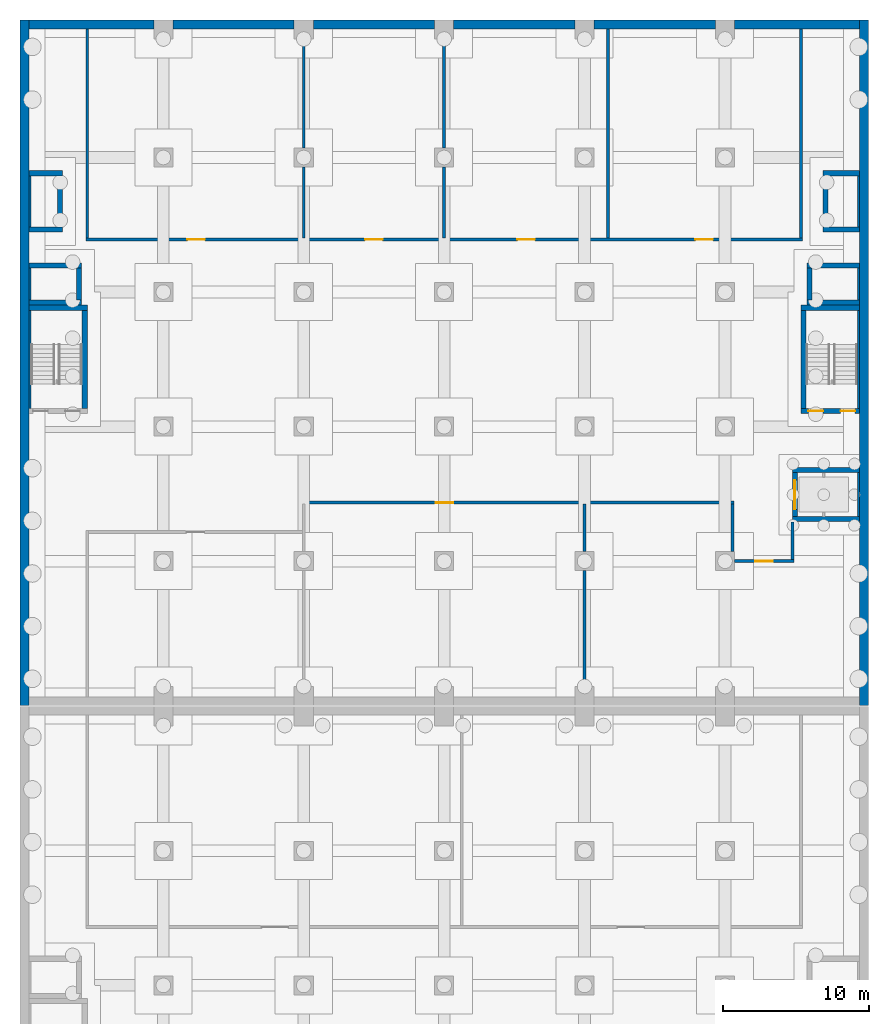
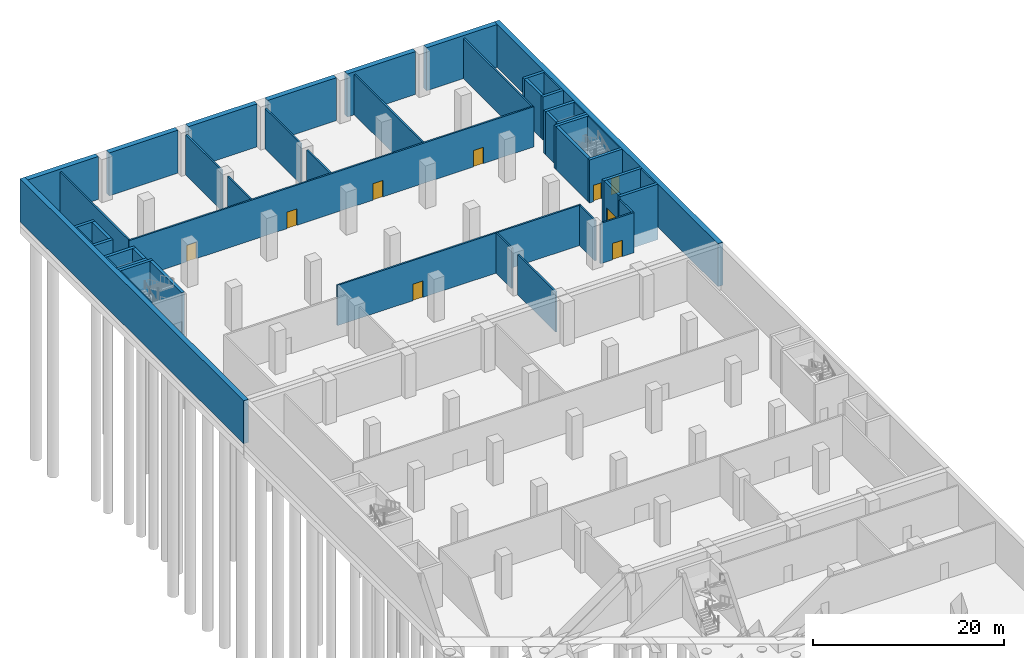
# One storey, part 13 of 33: 49 walls, 9 doors, 9 openings.
"""IFC4 building model written with IfcOpenShell, lengths in metres."""

from ifc_helpers import new_model, si_unit, direction, frame, frame_2d, origin, place, context, subcontext, project, spatial, rectangle, extrude, material, layer, layer_set, type_object, element, fill, save


model = new_model("IFC4")

# Units and contexts
model_context = context("Model", 3, precision=1e-05, world=origin(), true_north=direction((0.0, 1.0)))
body_context = subcontext(model_context, "Body", "Model", "MODEL_VIEW")
ifc_project = project(units=[si_unit("LENGTHUNIT", "METRE"), si_unit("AREAUNIT", "SQUARE_METRE"), si_unit("VOLUMEUNIT", "CUBIC_METRE"), si_unit("PLANEANGLEUNIT", "RADIAN"), si_unit("MASSUNIT", "GRAM", prefix="KILO")], contexts=[model_context])

# Site, building, storey
site_placement = place(None, origin())
site = spatial("IfcSite", under=ifc_project, at=site_placement, CompositionType="ELEMENT")
building_placement = place(site_placement, origin())
building = spatial("IfcBuilding", under=site, at=building_placement, Name="Nzadi Deep Aquarium and Research Tower", CompositionType="ELEMENT")
storey_placement = place(building_placement, frame((0.0, 0.0, -5.5)))
storey = spatial("IfcBuildingStorey", under=building, at=storey_placement, Name="B1", CompositionType="ELEMENT", Elevation=-5.5)

# Wall, openings, doors
ifc_material_1 = material(Name="Blockwork masonry", Category="masonry")
ifc_layer_1 = layer(ifc_material_1, 0.199951171875)
ifc_layer_set_1 = layer_set([ifc_layer_1], Name="Blockwork masonry")
wall_type_1 = type_object("IfcWallType", Name="Partition 200 EI 120", PredefinedType="PARTITIONING", material=ifc_layer_set_1)
wall_1_placement = place(storey_placement, frame((4.300048828125, 126.0, 0.0), z_axis=(0.0, 0.0, 1.0), x_axis=(1.0, 0.0, 0.0)))
wall_1 = element("IfcWall", 1, at=wall_1_placement, inside=storey, type_object=wall_type_1, Name="W-Z3-B1-P002", PredefinedType="PARTITIONING", context=body_context, shape_type="SweptSolid", body=[
    extrude(rectangle(XDim=49.0, YDim=0.199951171875, at=frame_2d((24.5, 0.0))), origin(), (0.0, 0.0, 1.0), 5.14990234375),
])
opening_1_placement = place(wall_1_placement, frame((6.93505859375, 0.0, 0.0)))
opening_1 = element("IfcOpeningElement", 2, at=opening_1_placement, cuts=wall_1, Name="Opening D003004", PredefinedType="OPENING", context=body_context, shape_type="SweptSolid", body=[
    extrude(rectangle(XDim=1.199951171875, YDim=2.10009765625, at=frame_2d((0.60009765625, 1.050048828125))), frame((0.0, 0.110107421875, 0.0), z_axis=(0.0, -1.0, 0.0), x_axis=(1.0, 0.0, 0.0)), (0.0, 0.0, 1.0), 0.22021484375),
])
opening_2_placement = place(wall_1_placement, frame((19.10009765625, 0.0, 0.0)))
opening_2 = element("IfcOpeningElement", 3, at=opening_2_placement, cuts=wall_1, Name="Opening D003005", PredefinedType="OPENING", context=body_context, shape_type="SweptSolid", body=[
    extrude(rectangle(XDim=1.199951171875, YDim=2.10009765625, at=frame_2d((0.60009765625, 1.050048828125))), frame((0.0, 0.110107421875, 0.0), z_axis=(0.0, -1.0, 0.0), x_axis=(1.0, 0.0, 0.0)), (0.0, 0.0, 1.0), 0.22021484375),
])
opening_3_placement = place(wall_1_placement, frame((29.5, 0.0, 0.0)))
opening_3 = element("IfcOpeningElement", 4, at=opening_3_placement, cuts=wall_1, Name="Opening D003006", PredefinedType="OPENING", context=body_context, shape_type="SweptSolid", body=[
    extrude(rectangle(XDim=1.199951171875, YDim=2.10009765625, at=frame_2d((0.60009765625, 1.050048828125))), frame((0.0, 0.110107421875, 0.0), z_axis=(0.0, -1.0, 0.0), x_axis=(1.0, 0.0, 0.0)), (0.0, 0.0, 1.0), 0.22021484375),
])
opening_4_placement = place(wall_1_placement, frame((41.6650390625, 0.0, 0.0)))
opening_4 = element("IfcOpeningElement", 5, at=opening_4_placement, cuts=wall_1, Name="Opening D003007", PredefinedType="OPENING", context=body_context, shape_type="SweptSolid", body=[
    extrude(rectangle(XDim=1.199951171875, YDim=2.10009765625, at=frame_2d((0.60009765625, 1.050048828125))), frame((0.0, 0.110107421875, 0.0), z_axis=(0.0, -1.0, 0.0), x_axis=(1.0, 0.0, 0.0)), (0.0, 0.0, 1.0), 0.22021484375),
])
ifc_material_2 = material(Name="Fire-rated steel door", Category="steel")
ifc_layer_2 = layer(ifc_material_2, 0.050048828125)
ifc_layer_set_2 = layer_set([ifc_layer_2], Name="Fire-rated steel door")
door_type_1 = type_object("IfcDoorType", Name="Door 1200x2100 EI 120 single", OperationType="SINGLE_SWING_LEFT", PredefinedType="DOOR", material=ifc_layer_set_2)
door_1_placement = place(opening_1_placement, origin())
door_1 = element("IfcDoor", 6, at=door_1_placement, inside=storey, type_object=door_type_1, Name="D003004", OperationType="SINGLE_SWING_RIGHT", OverallHeight=2.10009765625, OverallWidth=1.199951171875, PredefinedType="DOOR", context=body_context, shape_type="SweptSolid", body=[
    extrude(rectangle(XDim=1.199951171875, YDim=2.10009765625, at=frame_2d((0.60009765625, 1.050048828125))), frame((0.0, 0.02490234375, 0.0), z_axis=(0.0, -1.0, 0.0), x_axis=(1.0, 0.0, 0.0)), (0.0, 0.0, 1.0), 0.050048828125),
])
fill(opening_1, door_1)
door_2_placement = place(opening_2_placement, origin())
door_2 = element("IfcDoor", 7, at=door_2_placement, inside=storey, type_object=door_type_1, Name="D003005", OperationType="SINGLE_SWING_RIGHT", OverallHeight=2.10009765625, OverallWidth=1.199951171875, PredefinedType="DOOR", context=body_context, shape_type="SweptSolid", body=[
    extrude(rectangle(XDim=1.199951171875, YDim=2.10009765625, at=frame_2d((0.60009765625, 1.050048828125))), frame((0.0, 0.02490234375, 0.0), z_axis=(0.0, -1.0, 0.0), x_axis=(1.0, 0.0, 0.0)), (0.0, 0.0, 1.0), 0.050048828125),
])
fill(opening_2, door_2)
door_3_placement = place(opening_3_placement, origin())
door_3 = element("IfcDoor", 8, at=door_3_placement, inside=storey, type_object=door_type_1, Name="D003006", OperationType="SINGLE_SWING_RIGHT", OverallHeight=2.10009765625, OverallWidth=1.199951171875, PredefinedType="DOOR", context=body_context, shape_type="SweptSolid", body=[
    extrude(rectangle(XDim=1.199951171875, YDim=2.10009765625, at=frame_2d((0.60009765625, 1.050048828125))), frame((0.0, 0.02490234375, 0.0), z_axis=(0.0, -1.0, 0.0), x_axis=(1.0, 0.0, 0.0)), (0.0, 0.0, 1.0), 0.050048828125),
])
fill(opening_3, door_3)
door_4_placement = place(opening_4_placement, origin())
door_4 = element("IfcDoor", 9, at=door_4_placement, inside=storey, type_object=door_type_1, Name="D003007", OperationType="SINGLE_SWING_RIGHT", OverallHeight=2.10009765625, OverallWidth=1.199951171875, PredefinedType="DOOR", context=body_context, shape_type="SweptSolid", body=[
    extrude(rectangle(XDim=1.199951171875, YDim=2.10009765625, at=frame_2d((0.60009765625, 1.050048828125))), frame((0.0, 0.02490234375, 0.0), z_axis=(0.0, -1.0, 0.0), x_axis=(1.0, 0.0, 0.0)), (0.0, 0.0, 1.0), 0.050048828125),
])
fill(opening_4, door_4)

# Wall
wall_2_placement = place(storey_placement, frame((4.39990234375, 126.10009765625, 0.0), z_axis=(0.0, 0.0, 1.0), x_axis=(0.0, 1.0, 0.0)))
element("IfcWall", 10, at=wall_2_placement, inside=storey, type_object=wall_type_1, Name="W-Z3-B1-P003", PredefinedType="PARTITIONING", context=body_context, shape_type="SweptSolid", body=[
    extrude(rectangle(XDim=14.2939453125, YDim=0.199951171875, at=frame_2d((7.14697265625, 0.0))), origin(), (0.0, 0.0, 1.0), 5.14990234375),
])

# Wall, opening, door
wall_3_placement = place(storey_placement, frame((19.10009765625, 108.0, 0.0), z_axis=(0.0, 0.0, 1.0), x_axis=(1.0, 0.0, 0.0)))
wall_3 = element("IfcWall", 11, at=wall_3_placement, inside=storey, type_object=wall_type_1, Name="W-Z3-B1-P007", PredefinedType="PARTITIONING", context=body_context, shape_type="SweptSolid", body=[
    extrude(rectangle(XDim=29.5, YDim=0.199951171875, at=frame_2d((14.75, 0.0))), origin(), (0.0, 0.0, 1.0), 5.14990234375),
])
opening_5_placement = place(wall_3_placement, frame((9.135009765625, 0.0, 0.0)))
opening_5 = element("IfcOpeningElement", 12, at=opening_5_placement, cuts=wall_3, Name="Opening D003002", PredefinedType="OPENING", context=body_context, shape_type="SweptSolid", body=[
    extrude(rectangle(XDim=1.199951171875, YDim=2.10009765625, at=frame_2d((0.60009765625, 1.050048828125))), frame((0.0, 0.110107421875, 0.0), z_axis=(0.0, -1.0, 0.0), x_axis=(1.0, 0.0, 0.0)), (0.0, 0.0, 1.0), 0.22021484375),
])
door_5_placement = place(opening_5_placement, origin())
door_5 = element("IfcDoor", 13, at=door_5_placement, inside=storey, type_object=door_type_1, Name="D003002", OperationType="SINGLE_SWING_LEFT", OverallHeight=2.10009765625, OverallWidth=1.199951171875, PredefinedType="DOOR", context=body_context, shape_type="SweptSolid", body=[
    extrude(rectangle(XDim=1.199951171875, YDim=2.10009765625, at=frame_2d((0.60009765625, 1.050048828125))), frame((0.0, 0.02490234375, 0.0), z_axis=(0.0, -1.0, 0.0), x_axis=(1.0, 0.0, 0.0)), (0.0, 0.0, 1.0), 0.050048828125),
])
fill(opening_5, door_5)

# Walls
wall_4_placement = place(storey_placement, frame((19.199951171875, 126.10009765625, 0.0), z_axis=(0.0, 0.0, 1.0), x_axis=(0.0, 1.0, 0.0)))
element("IfcWall", 14, at=wall_4_placement, inside=storey, type_object=wall_type_1, Name="W-Z3-B1-P008", PredefinedType="PARTITIONING", context=body_context, shape_type="SweptSolid", body=[
    extrude(rectangle(XDim=4.849853515625, YDim=0.199951171875, at=frame_2d((2.4248046875, 0.0))), origin(), (0.0, 0.0, 1.0), 5.14990234375),
])
wall_5_placement = place(storey_placement, frame((19.199951171875, 132.25, 0.0), z_axis=(0.0, 0.0, 1.0), x_axis=(0.0, 1.0, 0.0)))
element("IfcWall", 15, at=wall_5_placement, inside=storey, type_object=wall_type_1, Name="W-Z3-B1-P009", PredefinedType="PARTITIONING", context=body_context, shape_type="SweptSolid", body=[
    extrude(rectangle(XDim=7.449951171875, YDim=0.199951171875, at=frame_2d((3.72509765625, 0.0))), origin(), (0.0, 0.0, 1.0), 5.14990234375),
])
wall_6_placement = place(storey_placement, frame((28.800048828125, 126.10009765625, 0.0), z_axis=(0.0, 0.0, 1.0), x_axis=(0.0, 1.0, 0.0)))
element("IfcWall", 16, at=wall_6_placement, inside=storey, type_object=wall_type_1, Name="W-Z3-B1-P010", PredefinedType="PARTITIONING", context=body_context, shape_type="SweptSolid", body=[
    extrude(rectangle(XDim=4.849853515625, YDim=0.199951171875, at=frame_2d((2.4248046875, 0.0))), origin(), (0.0, 0.0, 1.0), 5.14990234375),
])
wall_7_placement = place(storey_placement, frame((28.800048828125, 132.25, 0.0), z_axis=(0.0, 0.0, 1.0), x_axis=(0.0, 1.0, 0.0)))
element("IfcWall", 17, at=wall_7_placement, inside=storey, type_object=wall_type_1, Name="W-Z3-B1-P011", PredefinedType="PARTITIONING", context=body_context, shape_type="SweptSolid", body=[
    extrude(rectangle(XDim=7.449951171875, YDim=0.199951171875, at=frame_2d((3.72509765625, 0.0))), origin(), (0.0, 0.0, 1.0), 5.14990234375),
])
wall_8_placement = place(storey_placement, frame((38.39990234375, 95.449951171875, 0.0), z_axis=(0.0, 0.0, 1.0), x_axis=(0.0, 1.0, 0.0)))
element("IfcWall", 18, at=wall_8_placement, inside=storey, type_object=wall_type_1, Name="W-Z3-B1-P012", PredefinedType="PARTITIONING", context=body_context, shape_type="SweptSolid", body=[
    extrude(rectangle(XDim=7.900146484375, YDim=0.199951171875, at=frame_2d((3.9501953125, 0.0))), origin(), (0.0, 0.0, 1.0), 5.14990234375),
])
wall_9_placement = place(storey_placement, frame((38.39990234375, 104.64990234375, 0.0), z_axis=(0.0, 0.0, 1.0), x_axis=(0.0, 1.0, 0.0)))
element("IfcWall", 19, at=wall_9_placement, inside=storey, type_object=wall_type_1, Name="W-Z3-B1-P013", PredefinedType="PARTITIONING", context=body_context, shape_type="SweptSolid", body=[
    extrude(rectangle(XDim=3.25, YDim=0.199951171875, at=frame_2d((1.625, 0.0))), origin(), (0.0, 0.0, 1.0), 5.14990234375),
])
wall_10_placement = place(storey_placement, frame((40.0, 126.10009765625, 0.0), z_axis=(0.0, 0.0, 1.0), x_axis=(0.0, 1.0, 0.0)))
element("IfcWall", 20, at=wall_10_placement, inside=storey, type_object=wall_type_1, Name="W-Z3-B1-P014", PredefinedType="PARTITIONING", context=body_context, shape_type="SweptSolid", body=[
    extrude(rectangle(XDim=14.2939453125, YDim=0.199951171875, at=frame_2d((7.14697265625, 0.0))), origin(), (0.0, 0.0, 1.0), 5.14990234375),
])
wall_11_placement = place(storey_placement, frame((48.5, 104.64990234375, 0.0), z_axis=(0.0, 0.0, 1.0), x_axis=(0.0, 1.0, 0.0)))
element("IfcWall", 21, at=wall_11_placement, inside=storey, type_object=wall_type_1, Name="W-Z3-B1-P015", PredefinedType="PARTITIONING", context=body_context, shape_type="SweptSolid", body=[
    extrude(rectangle(XDim=3.25, YDim=0.199951171875, at=frame_2d((1.625, 0.0))), origin(), (0.0, 0.0, 1.0), 5.14990234375),
])

# Wall, opening, door
wall_12_placement = place(storey_placement, frame((48.64990234375, 104.0, 0.0), z_axis=(0.0, 0.0, 1.0), x_axis=(1.0, 0.0, 0.0)))
wall_12 = element("IfcWall", 22, at=wall_12_placement, inside=storey, type_object=wall_type_1, Name="W-Z3-B1-P016", PredefinedType="PARTITIONING", context=body_context, shape_type="SweptSolid", body=[
    extrude(rectangle(XDim=4.050048828125, YDim=0.199951171875, at=frame_2d((2.02490234375, 0.0))), origin(), (0.0, 0.0, 1.0), 5.14990234375),
])
opening_6_placement = place(wall_12_placement, frame((1.425048828125, 0.0, 0.0)))
opening_6 = element("IfcOpeningElement", 23, at=opening_6_placement, cuts=wall_12, Name="Opening D003003", PredefinedType="OPENING", context=body_context, shape_type="SweptSolid", body=[
    extrude(rectangle(XDim=1.199951171875, YDim=2.10009765625, at=frame_2d((0.60009765625, 1.050048828125))), frame((0.0, 0.110107421875, 0.0), z_axis=(0.0, -1.0, 0.0), x_axis=(1.0, 0.0, 0.0)), (0.0, 0.0, 1.0), 0.22021484375),
])
door_6_placement = place(opening_6_placement, origin())
door_6 = element("IfcDoor", 24, at=door_6_placement, inside=storey, type_object=door_type_1, Name="D003003", OperationType="SINGLE_SWING_LEFT", OverallHeight=2.10009765625, OverallWidth=1.199951171875, PredefinedType="DOOR", context=body_context, shape_type="SweptSolid", body=[
    extrude(rectangle(XDim=1.199951171875, YDim=2.10009765625, at=frame_2d((0.60009765625, 1.050048828125))), frame((0.0, 0.02490234375, 0.0), z_axis=(0.0, -1.0, 0.0), x_axis=(1.0, 0.0, 0.0)), (0.0, 0.0, 1.0), 0.050048828125),
])
fill(opening_6, door_6)

# Walls
wall_13_placement = place(storey_placement, frame((52.60009765625, 104.10009765625, 0.0), z_axis=(0.0, 0.0, 1.0), x_axis=(0.0, 1.0, 0.0)))
element("IfcWall", 25, at=wall_13_placement, inside=storey, type_object=wall_type_1, Name="W-Z3-B1-P017", PredefinedType="PARTITIONING", context=body_context, shape_type="SweptSolid", body=[
    extrude(rectangle(XDim=2.593994140625, YDim=0.199951171875, at=frame_2d((1.296875, 0.0))), origin(), (0.0, 0.0, 1.0), 5.14990234375),
])
wall_14_placement = place(storey_placement, frame((53.199951171875, 126.10009765625, 0.0), z_axis=(0.0, 0.0, 1.0), x_axis=(0.0, 1.0, 0.0)))
element("IfcWall", 26, at=wall_14_placement, inside=storey, type_object=wall_type_1, Name="W-Z3-B1-P018", PredefinedType="PARTITIONING", context=body_context, shape_type="SweptSolid", body=[
    extrude(rectangle(XDim=14.2939453125, YDim=0.199951171875, at=frame_2d((7.14697265625, 0.0))), origin(), (0.0, 0.0, 1.0), 5.14990234375),
])
ifc_material_3 = material(Name="Concrete C35/45", Category="concrete")
ifc_layer_3 = layer(ifc_material_3, 0.14990234375)
ifc_layer_set_3 = layer_set([ifc_layer_3], Name="Concrete C35/45")
wall_type_2 = type_object("IfcWallType", Name="RC core wall 150", PredefinedType="SHEAR", material=ifc_layer_set_3)
for number, where, z_axis, x_axis, name in (
    (27, (0.47509765625, 114.449951171875, 0.0), (0.0, 0.0, 1.0), (0.0, 1.0, 0.0), "W-CORE-ST-Z3-W-B1-W"),
    (28, (57.125, 114.449951171875, 0.0), (0.0, 0.0, 1.0), (0.0, 1.0, 0.0), "W-CORE-ST-Z3-E-B1-E"),
):
    element("IfcWall", number, at=place(storey_placement, frame(where, z_axis=z_axis, x_axis=x_axis)), inside=storey, type_object=wall_type_2, Name=name, PredefinedType="SHEAR", context=body_context, shape_type="SweptSolid", body=[
        extrude(rectangle(XDim=6.699951171875, YDim=0.14990234375, at=frame_2d((3.35009765625, 0.0))), origin(), (0.0, 0.0, 1.0), 5.5),
    ])
for number, where, z_axis, x_axis, name in (
    (29, (0.47509765625, 121.85009765625, 0.0), (0.0, 0.0, 1.0), (0.0, 1.0, 0.0), "W-CORE-PL5-B1-W"),
    (30, (57.125, 121.85009765625, 0.0), (0.0, 0.0, 1.0), (0.0, 1.0, 0.0), "W-CORE-PL6-B1-E"),
):
    element("IfcWall", number, at=place(storey_placement, frame(where, z_axis=z_axis, x_axis=x_axis)), inside=storey, type_object=wall_type_2, Name=name, PredefinedType="SHEAR", context=body_context, shape_type="SweptSolid", body=[
        extrude(rectangle(XDim=2.199951171875, YDim=0.14990234375, at=frame_2d((1.10009765625, 0.0))), origin(), (0.0, 0.0, 1.0), 5.5),
    ])
for number, where, z_axis, x_axis, name in (
    (31, (0.47509765625, 126.85009765625, 0.0), (0.0, 0.0, 1.0), (0.0, 1.0, 0.0), "W-CORE-RS-Z3-W-B1-W"),
    (32, (57.125, 126.85009765625, 0.0), (0.0, 0.0, 1.0), (0.0, 1.0, 0.0), "W-CORE-RS-Z3-E-B1-E"),
):
    element("IfcWall", number, at=place(storey_placement, frame(where, z_axis=z_axis, x_axis=x_axis)), inside=storey, type_object=wall_type_2, Name=name, PredefinedType="SHEAR", context=body_context, shape_type="SweptSolid", body=[
        extrude(rectangle(XDim=3.5, YDim=0.14990234375, at=frame_2d((1.75, 0.0))), origin(), (0.0, 0.0, 1.0), 5.5),
    ])
ifc_material_4 = material(Name="Concrete C35/45", Category="concrete")
ifc_layer_4 = layer(ifc_material_4, 0.14990234375)
ifc_layer_set_4 = layer_set([ifc_layer_4], Name="Concrete C35/45")
wall_type_3 = type_object("IfcWallType", Name="RC core wall 150, 7.10 m high, base -1.60 m", PredefinedType="SHEAR", material=ifc_layer_set_4)
wall_15_placement = place(storey_placement, frame((57.125, 107.050048828125, -1.60009765625), z_axis=(0.0, 0.0, 1.0), x_axis=(0.0, 1.0, 0.0)))
element("IfcWall", 33, at=wall_15_placement, inside=storey, type_object=wall_type_3, Name="W-CORE-GL2-B1-E", PredefinedType="SHEAR", context=body_context, shape_type="SweptSolid", body=[
    extrude(rectangle(XDim=3.0, YDim=0.14990234375, at=frame_2d((1.5, 0.0))), origin(), (0.0, 0.0, 1.0), 7.10009765625),
])
ifc_material_5 = material(Name="Concrete C35/45", Category="concrete")
ifc_layer_5 = layer(ifc_material_5, 0.35009765625)
ifc_layer_set_5 = layer_set([ifc_layer_5], Name="Concrete C35/45")
wall_type_4 = type_object("IfcWallType", Name="RC core wall 350, 5.50 to 6.50 m high", PredefinedType="SHEAR", material=ifc_layer_set_5)
wall_16_placement = place(storey_placement, frame((0.39990234375, 121.324951171875, 0.0), z_axis=(0.0, 0.0, 1.0), x_axis=(1.0, 0.0, 0.0)))
element("IfcWall", 34, at=wall_16_placement, inside=storey, type_object=wall_type_4, Name="W-CORE-ST-Z3-W-B1-N", PredefinedType="SHEAR", context=body_context, shape_type="SweptSolid", body=[
    extrude(rectangle(XDim=4.0, YDim=0.35009765625, at=frame_2d((2.0, 0.0))), origin(), (0.0, 0.0, 1.0), 5.5),
])
wall_17_placement = place(storey_placement, frame((4.22509765625, 114.449951171875, 0.0), z_axis=(0.0, 0.0, 1.0), x_axis=(0.0, 1.0, 0.0)))
element("IfcWall", 35, at=wall_17_placement, inside=storey, type_object=wall_type_4, Name="W-CORE-ST-Z3-W-B1-E", PredefinedType="SHEAR", context=body_context, shape_type="SweptSolid", body=[
    extrude(rectangle(XDim=6.699951171875, YDim=0.35009765625, at=frame_2d((3.35009765625, 0.0))), origin(), (0.0, 0.0, 1.0), 5.5),
])

# Wall, openings, doors
wall_18_placement = place(storey_placement, frame((53.199951171875, 114.27490234375, 0.0), z_axis=(0.0, 0.0, 1.0), x_axis=(1.0, 0.0, 0.0)))
wall_18 = element("IfcWall", 36, at=wall_18_placement, inside=storey, type_object=wall_type_4, Name="W-CORE-ST-Z3-E-B1-S", PredefinedType="SHEAR", context=body_context, shape_type="SweptSolid", body=[
    extrude(rectangle(XDim=4.0, YDim=0.35009765625, at=frame_2d((2.0, 0.0))), origin(), (0.0, 0.0, 1.0), 5.5),
])
opening_7_placement = place(wall_18_placement, frame((0.5, 0.0, 0.0)))
opening_7 = element("IfcOpeningElement", 37, at=opening_7_placement, cuts=wall_18, Name="Opening DS-Z3-E-B1A", PredefinedType="OPENING", context=body_context, shape_type="SweptSolid", body=[
    extrude(rectangle(XDim=1.0, YDim=2.10009765625, at=frame_2d((0.5, 1.050048828125))), frame((0.0, 0.18505859375, 0.0), z_axis=(0.0, -1.0, 0.0), x_axis=(1.0, 0.0, 0.0)), (0.0, 0.0, 1.0), 0.3701171875),
])
opening_8_placement = place(wall_18_placement, frame((2.699951171875, 0.0, 0.0)))
opening_8 = element("IfcOpeningElement", 38, at=opening_8_placement, cuts=wall_18, Name="Opening DS-Z3-E-B1B", PredefinedType="OPENING", context=body_context, shape_type="SweptSolid", body=[
    extrude(rectangle(XDim=1.0, YDim=2.10009765625, at=frame_2d((0.5, 1.050048828125))), frame((0.0, 0.18505859375, 0.0), z_axis=(0.0, -1.0, 0.0), x_axis=(1.0, 0.0, 0.0)), (0.0, 0.0, 1.0), 0.3701171875),
])
ifc_material_6 = material(Name="Steel, powder coated", Category="steel")
door_type_2 = type_object("IfcDoorType", Name="STAIR DOOR 1000x2100 EI 60", OperationType="SINGLE_SWING_LEFT", PredefinedType="DOOR", material=ifc_material_6)
door_7_placement = place(opening_7_placement, origin())
door_7 = element("IfcDoor", 39, at=door_7_placement, inside=storey, type_object=door_type_2, Name="Stair door ST-Z3-E B1 A", OperationType="SINGLE_SWING_RIGHT", OverallHeight=2.10009765625, OverallWidth=1.0, PredefinedType="DOOR", context=body_context, shape_type="SweptSolid", body=[
    extrude(rectangle(XDim=1.0, YDim=2.10009765625, at=frame_2d((0.5, 1.050048828125))), frame((0.0, 0.02490234375, 0.0), z_axis=(0.0, -1.0, 0.0), x_axis=(1.0, 0.0, 0.0)), (0.0, 0.0, 1.0), 0.050048828125),
])
fill(opening_7, door_7)
door_8_placement = place(opening_8_placement, origin())
door_8 = element("IfcDoor", 40, at=door_8_placement, inside=storey, type_object=door_type_2, Name="Stair door ST-Z3-E B1 B", OperationType="SINGLE_SWING_LEFT", OverallHeight=2.10009765625, OverallWidth=1.0, PredefinedType="DOOR", context=body_context, shape_type="SweptSolid", body=[
    extrude(rectangle(XDim=1.0, YDim=2.10009765625, at=frame_2d((0.5, 1.050048828125))), frame((0.0, 0.02490234375, 0.0), z_axis=(0.0, -1.0, 0.0), x_axis=(1.0, 0.0, 0.0)), (0.0, 0.0, 1.0), 0.050048828125),
])
fill(opening_8, door_8)

# Walls
wall_19_placement = place(storey_placement, frame((53.199951171875, 121.324951171875, 0.0), z_axis=(0.0, 0.0, 1.0), x_axis=(1.0, 0.0, 0.0)))
element("IfcWall", 41, at=wall_19_placement, inside=storey, type_object=wall_type_4, Name="W-CORE-ST-Z3-E-B1-N", PredefinedType="SHEAR", context=body_context, shape_type="SweptSolid", body=[
    extrude(rectangle(XDim=4.0, YDim=0.35009765625, at=frame_2d((2.0, 0.0))), origin(), (0.0, 0.0, 1.0), 5.5),
])
wall_20_placement = place(storey_placement, frame((53.375, 114.449951171875, 0.0), z_axis=(0.0, 0.0, 1.0), x_axis=(0.0, 1.0, 0.0)))
element("IfcWall", 42, at=wall_20_placement, inside=storey, type_object=wall_type_4, Name="W-CORE-ST-Z3-E-B1-W", PredefinedType="SHEAR", context=body_context, shape_type="SweptSolid", body=[
    extrude(rectangle(XDim=6.699951171875, YDim=0.35009765625, at=frame_2d((3.35009765625, 0.0))), origin(), (0.0, 0.0, 1.0), 5.5),
])
for number, where, z_axis, x_axis, name in (
    (43, (0.39990234375, 121.675048828125, 0.0), (0.0, 0.0, 1.0), (1.0, 0.0, 0.0), "W-CORE-PL5-B1-S"),
    (44, (0.39990234375, 124.22509765625, 0.0), (0.0, 0.0, 1.0), (1.0, 0.0, 0.0), "W-CORE-PL5-B1-N"),
):
    element("IfcWall", number, at=place(storey_placement, frame(where, z_axis=z_axis, x_axis=x_axis)), inside=storey, type_object=wall_type_4, Name=name, PredefinedType="SHEAR", context=body_context, shape_type="SweptSolid", body=[
        extrude(rectangle(XDim=3.60009765625, YDim=0.35009765625, at=frame_2d((1.800048828125, 0.0))), origin(), (0.0, 0.0, 1.0), 5.5),
    ])
wall_21_placement = place(storey_placement, frame((3.824951171875, 121.85009765625, 0.0), z_axis=(0.0, 0.0, 1.0), x_axis=(0.0, 1.0, 0.0)))
element("IfcWall", 45, at=wall_21_placement, inside=storey, type_object=wall_type_4, Name="W-CORE-PL5-B1-E", PredefinedType="SHEAR", context=body_context, shape_type="SweptSolid", body=[
    extrude(rectangle(XDim=2.199951171875, YDim=0.35009765625, at=frame_2d((1.10009765625, 0.0))), origin(), (0.0, 0.0, 1.0), 5.5),
])
for number, where, z_axis, x_axis, name in (
    (46, (53.60009765625, 121.675048828125, 0.0), (0.0, 0.0, 1.0), (1.0, 0.0, 0.0), "W-CORE-PL6-B1-S"),
    (47, (53.60009765625, 124.22509765625, 0.0), (0.0, 0.0, 1.0), (1.0, 0.0, 0.0), "W-CORE-PL6-B1-N"),
):
    element("IfcWall", number, at=place(storey_placement, frame(where, z_axis=z_axis, x_axis=x_axis)), inside=storey, type_object=wall_type_4, Name=name, PredefinedType="SHEAR", context=body_context, shape_type="SweptSolid", body=[
        extrude(rectangle(XDim=3.599853515625, YDim=0.35009765625, at=frame_2d((1.7998046875, 0.0))), origin(), (0.0, 0.0, 1.0), 5.5),
    ])
wall_22_placement = place(storey_placement, frame((53.77490234375, 121.85009765625, 0.0), z_axis=(0.0, 0.0, 1.0), x_axis=(0.0, 1.0, 0.0)))
element("IfcWall", 48, at=wall_22_placement, inside=storey, type_object=wall_type_4, Name="W-CORE-PL6-B1-W", PredefinedType="SHEAR", context=body_context, shape_type="SweptSolid", body=[
    extrude(rectangle(XDim=2.199951171875, YDim=0.35009765625, at=frame_2d((1.10009765625, 0.0))), origin(), (0.0, 0.0, 1.0), 5.5),
])
for number, where, z_axis, x_axis, name in (
    (49, (0.39990234375, 126.675048828125, 0.0), (0.0, 0.0, 1.0), (1.0, 0.0, 0.0), "W-CORE-RS-Z3-W-B1-S"),
    (50, (0.39990234375, 130.52490234375, 0.0), (0.0, 0.0, 1.0), (1.0, 0.0, 0.0), "W-CORE-RS-Z3-W-B1-N"),
):
    element("IfcWall", number, at=place(storey_placement, frame(where, z_axis=z_axis, x_axis=x_axis)), inside=storey, type_object=wall_type_4, Name=name, PredefinedType="SHEAR", context=body_context, shape_type="SweptSolid", body=[
        extrude(rectangle(XDim=2.300048828125, YDim=0.35009765625, at=frame_2d((1.14990234375, 0.0))), origin(), (0.0, 0.0, 1.0), 5.5),
    ])
wall_23_placement = place(storey_placement, frame((2.52490234375, 126.85009765625, 0.0), z_axis=(0.0, 0.0, 1.0), x_axis=(0.0, 1.0, 0.0)))
element("IfcWall", 51, at=wall_23_placement, inside=storey, type_object=wall_type_4, Name="W-CORE-RS-Z3-W-B1-E", PredefinedType="SHEAR", context=body_context, shape_type="SweptSolid", body=[
    extrude(rectangle(XDim=3.5, YDim=0.35009765625, at=frame_2d((1.75, 0.0))), origin(), (0.0, 0.0, 1.0), 5.5),
])
for number, where, z_axis, x_axis, name in (
    (52, (54.699951171875, 126.675048828125, 0.0), (0.0, 0.0, 1.0), (1.0, 0.0, 0.0), "W-CORE-RS-Z3-E-B1-S"),
    (53, (54.699951171875, 130.52490234375, 0.0), (0.0, 0.0, 1.0), (1.0, 0.0, 0.0), "W-CORE-RS-Z3-E-B1-N"),
):
    element("IfcWall", number, at=place(storey_placement, frame(where, z_axis=z_axis, x_axis=x_axis)), inside=storey, type_object=wall_type_4, Name=name, PredefinedType="SHEAR", context=body_context, shape_type="SweptSolid", body=[
        extrude(rectangle(XDim=2.5, YDim=0.35009765625, at=frame_2d((1.25, 0.0))), origin(), (0.0, 0.0, 1.0), 5.5),
    ])
wall_24_placement = place(storey_placement, frame((54.875, 126.85009765625, 0.0), z_axis=(0.0, 0.0, 1.0), x_axis=(0.0, 1.0, 0.0)))
element("IfcWall", 54, at=wall_24_placement, inside=storey, type_object=wall_type_4, Name="W-CORE-RS-Z3-E-B1-W", PredefinedType="SHEAR", context=body_context, shape_type="SweptSolid", body=[
    extrude(rectangle(XDim=3.5, YDim=0.35009765625, at=frame_2d((1.75, 0.0))), origin(), (0.0, 0.0, 1.0), 5.5),
])
ifc_material_7 = material(Name="Concrete C35/45", Category="concrete")
ifc_layer_6 = layer(ifc_material_7, 0.35009765625)
ifc_layer_set_6 = layer_set([ifc_layer_6], Name="Concrete C35/45")
wall_type_5 = type_object("IfcWallType", Name="RC core wall 350, 7.10 m high, base -1.60 m", PredefinedType="SHEAR", material=ifc_layer_set_6)
for number, where, z_axis, x_axis, name in (
    (55, (52.60009765625, 106.875, -1.60009765625), (0.0, 0.0, 1.0), (1.0, 0.0, 0.0), "W-CORE-GL2-B1-S"),
    (56, (52.60009765625, 110.22509765625, -1.60009765625), (0.0, 0.0, 1.0), (1.0, 0.0, 0.0), "W-CORE-GL2-B1-N"),
):
    element("IfcWall", number, at=place(storey_placement, frame(where, z_axis=z_axis, x_axis=x_axis)), inside=storey, type_object=wall_type_5, Name=name, PredefinedType="SHEAR", context=body_context, shape_type="SweptSolid", body=[
        extrude(rectangle(XDim=4.599853515625, YDim=0.35009765625, at=frame_2d((2.2998046875, 0.0))), origin(), (0.0, 0.0, 1.0), 7.10009765625),
    ])

# Wall, opening, door
wall_25_placement = place(storey_placement, frame((52.77490234375, 107.050048828125, -1.60009765625), z_axis=(0.0, 0.0, 1.0), x_axis=(0.0, 1.0, 0.0)))
wall_25 = element("IfcWall", 57, at=wall_25_placement, inside=storey, type_object=wall_type_5, Name="W-CORE-GL2-B1-W", PredefinedType="SHEAR", context=body_context, shape_type="SweptSolid", body=[
    extrude(rectangle(XDim=3.0, YDim=0.35009765625, at=frame_2d((1.5, 0.0))), origin(), (0.0, 0.0, 1.0), 7.10009765625),
])
opening_9_placement = place(wall_25_placement, frame((0.5, 0.0, 1.60009765625)))
opening_9 = element("IfcOpeningElement", 58, at=opening_9_placement, cuts=wall_25, Name="Opening LD-GL2-B1", PredefinedType="OPENING", context=body_context, shape_type="SweptSolid", body=[
    extrude(rectangle(XDim=2.0, YDim=2.39990234375, at=frame_2d((1.0, 1.199951171875))), frame((0.0, 0.18505859375, 0.0), z_axis=(0.0, -1.0, 0.0), x_axis=(1.0, 0.0, 0.0)), (0.0, 0.0, 1.0), 0.3701171875),
])
ifc_material_8 = material(Name="Stainless steel 1.4301", Category="steel")
door_type_3 = type_object("IfcDoorType", Name="LANDING DOOR 2000x2400", OperationType="DOUBLE_DOOR_SLIDING", PredefinedType="DOOR", material=ifc_material_8)
door_9_placement = place(opening_9_placement, origin())
door_9 = element("IfcDoor", 59, at=door_9_placement, inside=storey, type_object=door_type_3, Name="Landing door GL2 B1", OperationType="DOUBLE_DOOR_SLIDING", OverallHeight=2.39990234375, OverallWidth=2.0, PredefinedType="DOOR", context=body_context, shape_type="SweptSolid", body=[
    extrude(rectangle(XDim=2.0, YDim=2.39990234375, at=frame_2d((1.0, 1.199951171875))), frame((0.0, 0.02490234375, 0.0), z_axis=(0.0, -1.0, 0.0), x_axis=(1.0, 0.0, 0.0)), (0.0, 0.0, 1.0), 0.050048828125),
])
fill(opening_9, door_9)

# Walls
ifc_material_9 = material(Name="Concrete C40/50", Category="concrete")
ifc_layer_7 = layer(ifc_material_9, 0.60009765625)
ifc_layer_set_7 = layer_set([ifc_layer_7], Name="Concrete C40/50")
wall_type_6 = type_object("IfcWallType", Name="RC retaining wall 600 C40/50", PredefinedType="SOLIDWALL", material=ifc_layer_set_7)
for number, where, z_axis, x_axis, name in (
    (60, (0.1005859375, 94.1201171875, 0.0), (0.0, 0.0, 1.0), (0.0, 1.0, 0.0), "W-RET-Z3-W"),
    (61, (57.49951171875, 94.1201171875, 0.0), (0.0, 0.0, 1.0), (0.0, 1.0, 0.0), "W-RET-Z3-E"),
):
    element("IfcWall", number, at=place(storey_placement, frame(where, z_axis=z_axis, x_axis=x_axis)), inside=storey, type_object=wall_type_6, Name=name, PredefinedType="SOLIDWALL", context=body_context, shape_type="SweptSolid", body=[
        extrude(rectangle(XDim=46.8798828125, YDim=0.60009765625, at=frame_2d((23.43994140625, 0.0))), origin(), (0.0, 0.0, 1.0), 5.5),
    ])
wall_26_placement = place(storey_placement, frame((0.39990234375, 140.699951171875, 0.0), z_axis=(0.0, 0.0, 1.0), x_axis=(1.0, 0.0, 0.0)))
element("IfcWall", 62, at=wall_26_placement, inside=storey, type_object=wall_type_6, Name="W-RET-Z3-N-1", PredefinedType="SOLIDWALL", context=body_context, shape_type="SweptSolid", body=[
    extrude(rectangle(XDim=8.550048828125, YDim=0.60009765625, at=frame_2d((4.27490234375, 0.0))), origin(), (0.0, 0.0, 1.0), 5.5),
])
wall_27_placement = place(storey_placement, frame((10.25, 140.699951171875, 0.0), z_axis=(0.0, 0.0, 1.0), x_axis=(1.0, 0.0, 0.0)))
element("IfcWall", 63, at=wall_27_placement, inside=storey, type_object=wall_type_6, Name="W-RET-Z3-N-2", PredefinedType="SOLIDWALL", context=body_context, shape_type="SweptSolid", body=[
    extrude(rectangle(XDim=8.300048828125, YDim=0.60009765625, at=frame_2d((4.14990234375, 0.0))), origin(), (0.0, 0.0, 1.0), 5.5),
])
wall_28_placement = place(storey_placement, frame((19.85009765625, 140.699951171875, 0.0), z_axis=(0.0, 0.0, 1.0), x_axis=(1.0, 0.0, 0.0)))
element("IfcWall", 64, at=wall_28_placement, inside=storey, type_object=wall_type_6, Name="W-RET-Z3-N-3", PredefinedType="SOLIDWALL", context=body_context, shape_type="SweptSolid", body=[
    extrude(rectangle(XDim=8.2998046875, YDim=0.60009765625, at=frame_2d((4.14990234375, 0.0))), origin(), (0.0, 0.0, 1.0), 5.5),
])
for number, where, z_axis, x_axis, name in (
    (65, (29.449951171875, 140.699951171875, 0.0), (0.0, 0.0, 1.0), (1.0, 0.0, 0.0), "W-RET-Z3-N-4"),
    (66, (39.050048828125, 140.699951171875, 0.0), (0.0, 0.0, 1.0), (1.0, 0.0, 0.0), "W-RET-Z3-N-5"),
):
    element("IfcWall", number, at=place(storey_placement, frame(where, z_axis=z_axis, x_axis=x_axis)), inside=storey, type_object=wall_type_6, Name=name, PredefinedType="SOLIDWALL", context=body_context, shape_type="SweptSolid", body=[
        extrude(rectangle(XDim=8.300048828125, YDim=0.60009765625, at=frame_2d((4.14990234375, 0.0))), origin(), (0.0, 0.0, 1.0), 5.5),
    ])
wall_29_placement = place(storey_placement, frame((48.64990234375, 140.699951171875, 0.0), z_axis=(0.0, 0.0, 1.0), x_axis=(1.0, 0.0, 0.0)))
element("IfcWall", 67, at=wall_29_placement, inside=storey, type_object=wall_type_6, Name="W-RET-Z3-N-6", PredefinedType="SOLIDWALL", context=body_context, shape_type="SweptSolid", body=[
    extrude(rectangle(XDim=8.550048828125, YDim=0.60009765625, at=frame_2d((4.27490234375, 0.0))), origin(), (0.0, 0.0, 1.0), 5.5),
])

save(model, "model.ifc")
